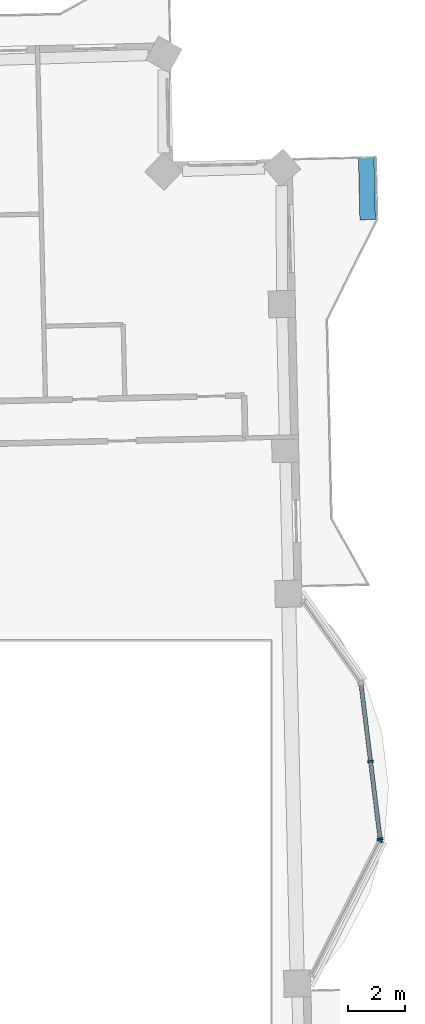
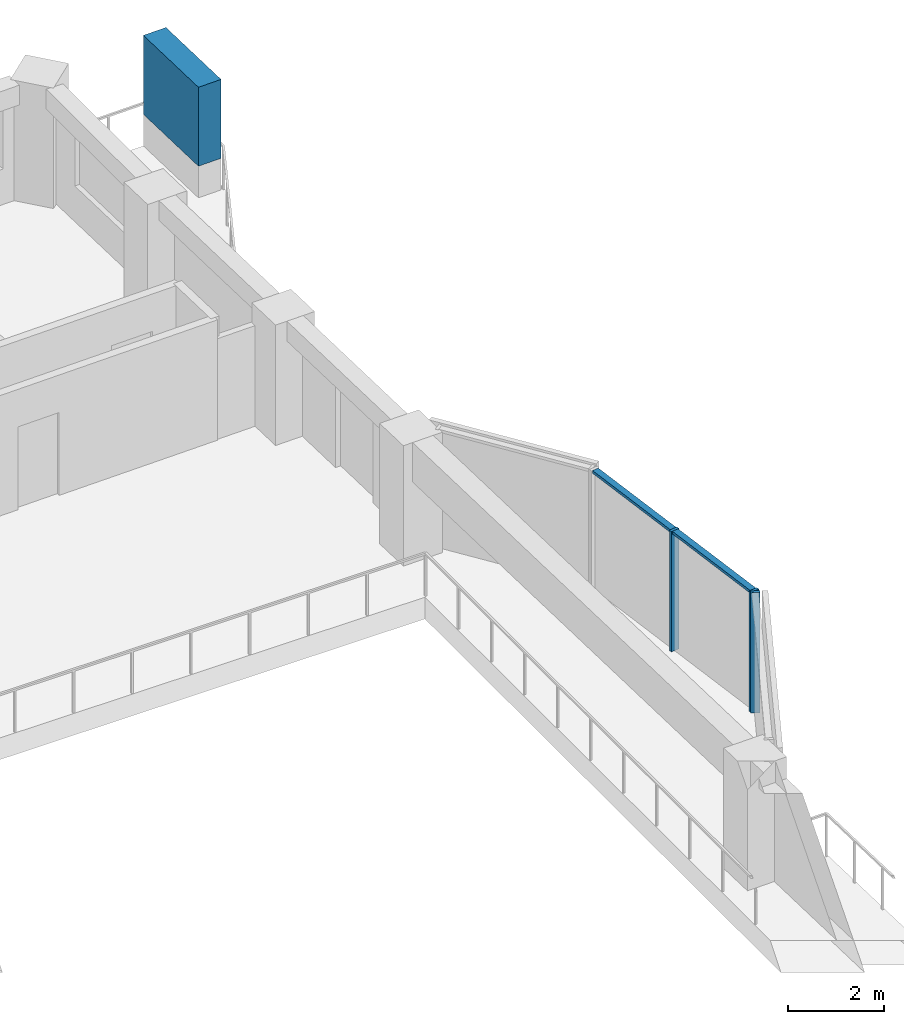
# One storey, part 6 of 19: 6 members, 2 elements without a shape of their own.
"""IFC4 building model written with IfcOpenShell, lengths in metres."""

from ifc_helpers import new_model, si_unit, direction, frame, origin, origin_2d, place, context, subcontext, project, spatial, rectangle, extrude, material, material_profile, profile_set, type_object, element, aggregate, save


model = new_model("IFC4")

# Units and contexts
model_context = context("Model", 3, precision=1e-05, world=origin(), true_north=direction((0.0, 1.0)))
body_context = subcontext(model_context, "Body", "Model", "MODEL_VIEW")
ifc_project = project(units=[si_unit("LENGTHUNIT", "METRE"), si_unit("AREAUNIT", "SQUARE_METRE"), si_unit("VOLUMEUNIT", "CUBIC_METRE"), si_unit("PLANEANGLEUNIT", "RADIAN"), si_unit("MASSUNIT", "GRAM", prefix="KILO")], contexts=[model_context])

# Site, building, storey
site_placement = place(None, origin())
site = spatial("IfcSite", under=ifc_project, at=site_placement, CompositionType="ELEMENT")
building_placement = place(site_placement, origin())
building = spatial("IfcBuilding", under=site, at=building_placement, Name="Mangrove Gate Tower", CompositionType="ELEMENT")
storey_placement = place(building_placement, frame((0.0, 0.0, 297.89990234375)))
storey = spatial("IfcBuildingStorey", under=building, at=storey_placement, Name="L76", CompositionType="ELEMENT", Elevation=297.89990234375)

# Curtain wall, member
ifc_material_1 = material(Name="Aluminium and glass curtain wall", Category="aluminium")
curtain_wall_type = type_object("IfcCurtainWallType", Name="Atrium garden-court glazing wall", PredefinedType="NOTDEFINED", material=ifc_material_1)
curtain_wall_1_placement = place(storey_placement, origin())
curtain_wall_1 = element("IfcCurtainWall", 1, at=curtain_wall_1_placement, inside=storey, type_object=curtain_wall_type, Name="Atrium garden-court glazing E1f1", PredefinedType="NOTDEFINED")
ifc_material_2 = material(Name="Aluminium alloy 6063-T6", Category="aluminium")
ifc_material_profile_1 = material_profile(ifc_material_2, rectangle(XDim=0.070068359375, YDim=0.199951171875, at=origin_2d()))
ifc_profile_set_1 = profile_set([ifc_material_profile_1], Name="Aluminium alloy 6063-T6")
member_type_1 = type_object("IfcMemberType", Name="Atrium garden-court glazing mullion 70x200", PredefinedType="MULLION", material=ifc_profile_set_1)
member_1_placement = place(storey_placement, frame((33.748046875, 0.474853515625, 0.0), z_axis=(0.0, 0.0, 1.0), x_axis=(0.452617386511, 0.891704828644, 0.0)))
member_1 = element("IfcMember", 2, at=member_1_placement, type_object=member_type_1, Name="CWA mullion 2", PredefinedType="MULLION", context=body_context, shape_type="SweptSolid", body=[
    extrude(rectangle(XDim=0.070068359375, YDim=0.199951171875, at=origin_2d()), origin(), (0.0, 0.0, 1.0), 3.050048828125),
])
aggregate(curtain_wall_1, [member_1])

# Curtain wall, members
curtain_wall_2_placement = place(storey_placement, origin())
curtain_wall_2 = element("IfcCurtainWall", 3, at=curtain_wall_2_placement, inside=storey, type_object=curtain_wall_type, Name="Atrium garden-court glazing E1f2", PredefinedType="NOTDEFINED")
member_2_placement = place(storey_placement, frame((33.759521484375, 0.540771484375, 0.0), z_axis=(0.0, 0.0, 1.0), x_axis=(-0.122172285885, 0.992508908051, 0.0)))
member_2 = element("IfcMember", 4, at=member_2_placement, type_object=member_type_1, Name="CWA mullion 1", PredefinedType="MULLION", context=body_context, shape_type="SweptSolid", body=[
    extrude(rectangle(XDim=0.070068359375, YDim=0.199951171875, at=origin_2d()), origin(), (0.0, 0.0, 1.0), 3.050048828125),
])
member_3_placement = place(storey_placement, frame((33.42333984375, 3.27197265625, 0.0), z_axis=(0.0, 0.0, 1.0), x_axis=(-0.122172285885, 0.992508908051, 0.0)))
member_3 = element("IfcMember", 5, at=member_3_placement, type_object=member_type_1, Name="CWA mullion 2", PredefinedType="MULLION", context=body_context, shape_type="SweptSolid", body=[
    extrude(rectangle(XDim=0.070068359375, YDim=0.199951171875, at=origin_2d()), origin(), (0.0, 0.0, 1.0), 3.050048828125),
])
ifc_material_3 = material(Name="Aluminium alloy 6063-T6", Category="aluminium")
ifc_material_profile_2 = material_profile(ifc_material_3, rectangle(XDim=0.070068359375, YDim=0.14990234375, at=origin_2d()))
ifc_profile_set_2 = profile_set([ifc_material_profile_2], Name="Aluminium alloy 6063-T6")
member_type_2 = type_object("IfcMemberType", Name="Atrium garden-court glazing transom 70x150", PredefinedType="USERDEFINED", material=ifc_profile_set_2)
member_4_placement = place(storey_placement, frame((33.75537109375, 0.575439453125, 3.01513671875), z_axis=(-0.122174517154, 0.992508633392, 0.0), x_axis=(0.0, 0.0, 1.0)))
member_4 = element("IfcMember", 6, at=member_4_placement, type_object=member_type_2, Name="CWA transom 1.2", ObjectType="TRANSOM", PredefinedType="USERDEFINED", context=body_context, shape_type="SweptSolid", body=[
    extrude(rectangle(XDim=0.070068359375, YDim=0.14990234375, at=origin_2d()), origin(), (0.0, 0.0, 1.0), 2.681640625),
])
member_5_placement = place(storey_placement, frame((33.419189453125, 3.306640625, 3.01513671875), z_axis=(-0.122174517154, 0.992508633392, 0.0), x_axis=(0.0, 0.0, 1.0)))
member_5 = element("IfcMember", 7, at=member_5_placement, type_object=member_type_2, Name="CWA transom 2.2", ObjectType="TRANSOM", PredefinedType="USERDEFINED", context=body_context, shape_type="SweptSolid", body=[
    extrude(rectangle(XDim=0.070068359375, YDim=0.14990234375, at=origin_2d()), origin(), (0.0, 0.0, 1.0), 2.681640625),
])
aggregate(curtain_wall_2, [member_2, member_3, member_4, member_5])

# Member
ifc_material_4 = material(Name="Planting on aluminium trellis", Category="aluminium")
ifc_material_profile_3 = material_profile(ifc_material_4, rectangle(XDim=0.550048828125, YDim=2.0, at=origin_2d()))
ifc_profile_set_3 = profile_set([ifc_material_profile_3], Name="Planting on aluminium trellis")
member_type_3 = type_object("IfcMemberType", Name="Balcony greenery screen 550x2000", PredefinedType="USERDEFINED", material=ifc_profile_set_3)
member_6_placement = place(storey_placement, frame((33.321044921875, 22.375, 1.800048828125), z_axis=(-0.022744087289, 0.999741319789, 0.0), x_axis=(-0.999741319789, -0.022744087289, 0.0)))
element("IfcMember", 8, at=member_6_placement, inside=storey, type_object=member_type_3, Name="GREEN SCREEN L76 E1.1", ObjectType="PLANTING", PredefinedType="USERDEFINED", context=body_context, shape_type="SweptSolid", body=[
    extrude(rectangle(XDim=0.550048828125, YDim=2.0, at=origin_2d()), origin(), (0.0, 0.0, 1.0), 2.200439453125),
])

save(model, "model.ifc")
